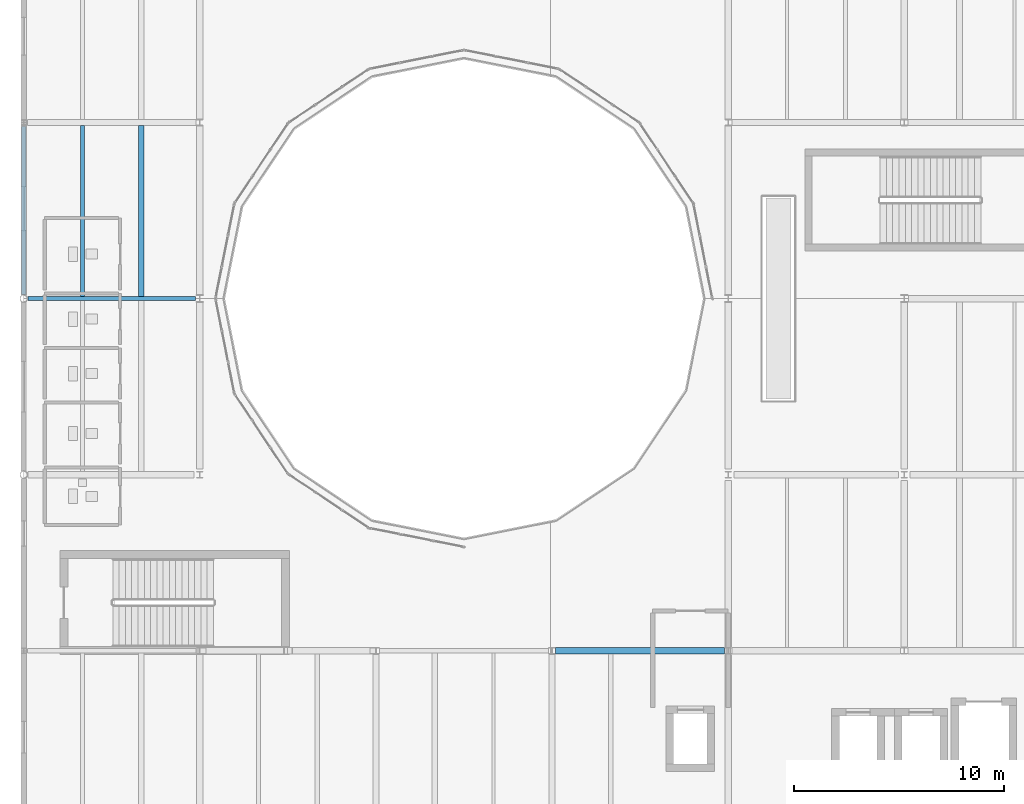
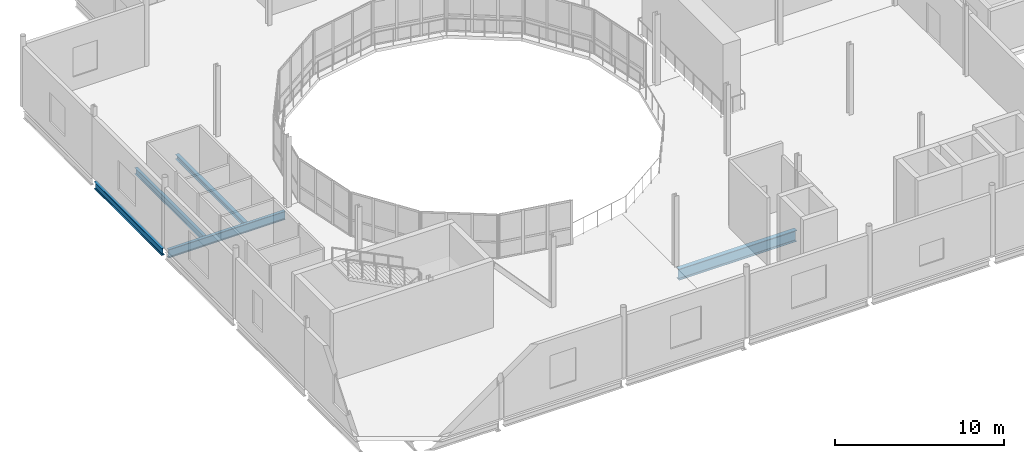
# One storey, part 18 of 91: 5 beams.
"""IFC4 building model written with IfcOpenShell, lengths in metres."""

from ifc_helpers import new_model, si_unit, direction, frame, origin, origin_2d, place, context, subcontext, project, spatial, i_section, extrude, material, material_profile, profile_set, type_object, element, save


model = new_model("IFC4")

# Units and contexts
model_context = context("Model", 3, precision=1e-05, world=origin(), true_north=direction((0.0, 1.0)))
body_context = subcontext(model_context, "Body", "Model", "MODEL_VIEW")
ifc_project = project(units=[si_unit("LENGTHUNIT", "METRE"), si_unit("AREAUNIT", "SQUARE_METRE"), si_unit("VOLUMEUNIT", "CUBIC_METRE"), si_unit("PLANEANGLEUNIT", "RADIAN"), si_unit("MASSUNIT", "GRAM", prefix="KILO"), si_unit("THERMODYNAMICTEMPERATUREUNIT", "KELVIN")], contexts=[model_context])

# Site, building, storey
site_placement = place(None, origin())
site = spatial("IfcSite", under=ifc_project, at=site_placement, CompositionType="ELEMENT")
building_placement = place(site_placement, origin())
building = spatial("IfcBuilding", under=site, at=building_placement, Name="Lustrewick Department Store", CompositionType="ELEMENT")
storey_placement = place(building_placement, frame((0.0, 0.0, 21.60009765625)))
storey = spatial("IfcBuildingStorey", under=building, at=storey_placement, Name="L05", CompositionType="ELEMENT", Elevation=21.60009765625)

# Beams
ifc_material_1 = material(Name="Structural steel Q355B", Category="steel")
ifc_material_profile_1 = material_profile(ifc_material_1, i_section(OverallWidth=0.198974609375, OverallDepth=0.446044921875, WebThickness=0.008056640625, FlangeThickness=0.011962890625, FilletRadius=0.01611328125, at=origin_2d()), Name="HN 446x199x8x12")
ifc_profile_set_1 = profile_set([ifc_material_profile_1], Name="Structural steel Q355B")
beam_type_1 = type_object("IfcBeamType", Name="B04", PredefinedType="JOIST", material=ifc_profile_set_1)
beam_1_placement = place(storey_placement, frame((11.199951171875, 67.300537109375, -0.47802734375), z_axis=(0.0, 1.0, 0.0), x_axis=(-1.0, 0.0, 0.0)))
element("IfcBeam", 1, at=beam_1_placement, inside=storey, type_object=beam_type_1, Name="L05 V1 Secondary Joist B04", PredefinedType="JOIST", context=body_context, shape_type="SweptSolid", body=[
    extrude(i_section(OverallWidth=0.198974609375, OverallDepth=0.446044921875, WebThickness=0.008056640625, FlangeThickness=0.011962890625, FilletRadius=0.01611328125, at=origin_2d()), origin(), (0.0, 0.0, 1.0), 8.1484375),
])
ifc_material_profile_2 = material_profile(ifc_material_1, i_section(OverallWidth=0.25, OverallDepth=0.340087890625, WebThickness=0.009033203125, FlangeThickness=0.013916015625, FilletRadius=0.01611328125, at=origin_2d()), Name="HM 340x250x9x14")
ifc_profile_set_2 = profile_set([ifc_material_profile_2], Name="Structural steel Q355B")
beam_type_2 = type_object("IfcBeamType", Name="B08", PredefinedType="JOIST", material=ifc_profile_set_2)
beam_2_placement = place(storey_placement, frame((14.0, 67.300537109375, -0.425048828125), z_axis=(0.0, 1.0, 0.0), x_axis=(-1.0, 0.0, 0.0)))
element("IfcBeam", 2, at=beam_2_placement, inside=storey, type_object=beam_type_2, Name="L05 V1 Secondary Joist B08", PredefinedType="JOIST", context=body_context, shape_type="SweptSolid", body=[
    extrude(i_section(OverallWidth=0.25, OverallDepth=0.340087890625, WebThickness=0.009033203125, FlangeThickness=0.013916015625, FilletRadius=0.01611328125, at=origin_2d()), origin(), (0.0, 0.0, 1.0), 8.1484375),
])
ifc_material_2 = material(Name="Structural steel Q355C", Category="steel")
ifc_material_profile_3 = material_profile(ifc_material_2, i_section(OverallWidth=0.302001953125, OverallDepth=0.80810546875, WebThickness=0.01611328125, FlangeThickness=0.030029296875, FilletRadius=0.02197265625, at=origin_2d()), Name="HN 808x302x16x30")
ifc_profile_set_3 = profile_set([ifc_material_profile_3], Name="Structural steel Q355C")
beam_type_3 = type_object("IfcBeamType", Name="G04", PredefinedType="BEAM", material=ifc_profile_set_3)
beam_3_placement = place(storey_placement, frame((33.77490234375, 50.39990234375, -0.6591796875), z_axis=(1.0, 0.0, 0.0), x_axis=(0.0, 1.0, 0.0)))
element("IfcBeam", 3, at=beam_3_placement, inside=storey, type_object=beam_type_3, Name="L05 V1 Girder G04", PredefinedType="BEAM", context=body_context, shape_type="SweptSolid", body=[
    extrude(i_section(OverallWidth=0.302001953125, OverallDepth=0.80810546875, WebThickness=0.01611328125, FlangeThickness=0.030029296875, FilletRadius=0.02197265625, at=origin_2d()), origin(), (0.0, 0.0, 1.0), 8.050048828125),
])
ifc_material_profile_4 = material_profile(ifc_material_1, i_section(OverallWidth=0.200927734375, OverallDepth=0.60595703125, WebThickness=0.011962890625, FlangeThickness=0.02001953125, FilletRadius=0.01806640625, at=origin_2d()), Name="HN 606x201x12x20")
ifc_profile_set_4 = profile_set([ifc_material_profile_4], Name="Structural steel Q355B")
beam_type_4 = type_object("IfcBeamType", Name="G13", PredefinedType="BEAM", material=ifc_profile_set_4)
beam_4_placement = place(storey_placement, frame((8.60302734375, 67.199951171875, -0.55810546875), z_axis=(1.0, 0.0, 0.0), x_axis=(0.0, 1.0, 0.0)))
element("IfcBeam", 4, at=beam_4_placement, inside=storey, type_object=beam_type_4, Name="L05 V1 Girder G13", PredefinedType="BEAM", context=body_context, shape_type="SweptSolid", body=[
    extrude(i_section(OverallWidth=0.200927734375, OverallDepth=0.60595703125, WebThickness=0.011962890625, FlangeThickness=0.02001953125, FilletRadius=0.01806640625, at=origin_2d()), origin(), (0.0, 0.0, 1.0), 7.99609375),
])
ifc_material_profile_5 = material_profile(ifc_material_1, i_section(OverallWidth=0.200927734375, OverallDepth=0.506103515625, WebThickness=0.010986328125, FlangeThickness=0.01904296875, FilletRadius=0.01611328125, at=origin_2d()), Name="HN 506x201x11x19")
ifc_profile_set_5 = profile_set([ifc_material_profile_5], Name="Structural steel Q355B")
beam_type_5 = type_object("IfcBeamType", Name="SP01", PredefinedType="SPANDREL", material=ifc_profile_set_5)
beam_5_placement = place(storey_placement, frame((8.39990234375, 67.403076171875, -0.508056640625), z_axis=(0.0, 1.0, 0.0), x_axis=(-1.0, 0.0, 0.0)))
element("IfcBeam", 5, at=beam_5_placement, inside=storey, type_object=beam_type_5, Name="L05 V1 Girder SP01", PredefinedType="SPANDREL", context=body_context, shape_type="SweptSolid", body=[
    extrude(i_section(OverallWidth=0.200927734375, OverallDepth=0.506103515625, WebThickness=0.010986328125, FlangeThickness=0.01904296875, FilletRadius=0.01611328125, at=origin_2d()), origin(), (0.0, 0.0, 1.0), 8.008544921875),
])

save(model, "model.ifc")
